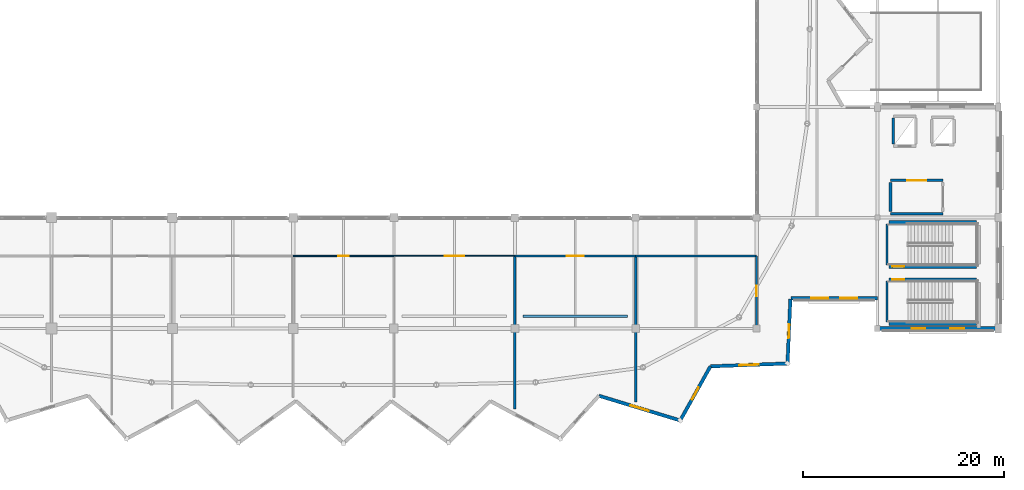
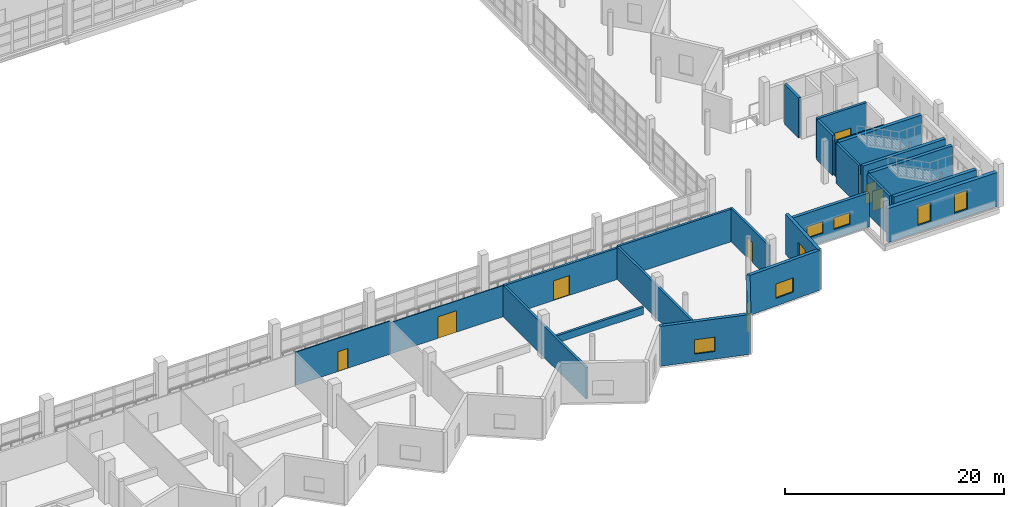
# One storey, part 38 of 53: 24 walls, 8 windows, 7 doors, 15 openings.
"""IFC4 building model written with IfcOpenShell, lengths in metres."""

from ifc_helpers import new_model, si_unit, direction, frame, frame_2d, origin, place, context, subcontext, project, spatial, rectangle, extrude, material, layer, layer_set, type_object, element, fill, save


model = new_model("IFC4")

# Units and contexts
model_context = context("Model", 3, precision=1e-05, world=origin(), true_north=direction((0.0, 1.0)))
body_context = subcontext(model_context, "Body", "Model", "MODEL_VIEW")
ifc_project = project(units=[si_unit("LENGTHUNIT", "METRE"), si_unit("AREAUNIT", "SQUARE_METRE"), si_unit("VOLUMEUNIT", "CUBIC_METRE"), si_unit("PLANEANGLEUNIT", "RADIAN"), si_unit("MASSUNIT", "GRAM", prefix="KILO")], contexts=[model_context])

# Site, building, storey
site_placement = place(None, origin())
site = spatial("IfcSite", under=ifc_project, at=site_placement, CompositionType="ELEMENT")
building_placement = place(site_placement, origin())
building = spatial("IfcBuilding", under=site, at=building_placement, Name="Luwafu Chhajja Arena", CompositionType="ELEMENT")
storey_placement = place(building_placement, frame((0.0, 0.0, 19.5)))
storey = spatial("IfcBuildingStorey", under=building, at=storey_placement, Name="L04", CompositionType="ELEMENT", Elevation=19.5)

# Wall, opening, door
ifc_material_1 = material(Name="Concrete blockwork masonry", Category="masonry")
ifc_layer_1 = layer(ifc_material_1, 0.239990234375, Name="Concrete blockwork masonry")
ifc_layer_set_1 = layer_set([ifc_layer_1], Name="Concrete blockwork masonry")
wall_type_1 = type_object("IfcWallType", Name="Compartment Masonry Partition 240", PredefinedType="PARTITIONING", material=ifc_layer_set_1)
wall_1_placement = place(storey_placement, frame((116.0, 18.199951171875, 0.0), z_axis=(0.0, 0.0, 1.0), x_axis=(1.0, 0.0, 0.0)))
wall_1 = element("IfcWall", 1, at=wall_1_placement, inside=storey, type_object=wall_type_1, Name="L04 Internal Partition 0314", PredefinedType="PARTITIONING", context=body_context, shape_type="SweptSolid", body=[
    extrude(rectangle(XDim=12.0, YDim=0.239990234375, at=frame_2d((6.0, 0.0))), origin(), (0.0, 0.0, 1.0), 3.489990234375),
])
opening_1_placement = place(wall_1_placement, frame((5.159912109375, 0.0, 0.0)))
opening_1 = element("IfcOpeningElement", 2, at=opening_1_placement, cuts=wall_1, Name="Opening DR-11", PredefinedType="OPENING", context=body_context, shape_type="SweptSolid", body=[
    extrude(rectangle(XDim=1.679931640625, YDim=2.199951171875, at=frame_2d((0.83984375, 1.10009765625))), frame((0.0, 0.1298828125, 0.0), z_axis=(0.0, -1.0, 0.0), x_axis=(1.0, 0.0, 0.0)), (0.0, 0.0, 1.0), 0.260009765625),
])
ifc_material_2 = material(Name="Powder-coated steel fire leaf", Category="steel")
door_type_1 = type_object("IfcDoorType", Name="DR-11", OperationType="DOUBLE_DOOR_SINGLE_SWING", PredefinedType="DOOR", material=ifc_material_2)
door_1_placement = place(opening_1_placement, origin())
door_1 = element("IfcDoor", 3, at=door_1_placement, inside=storey, type_object=door_type_1, Name="L04 Interior Door L04-D026", OperationType="DOUBLE_DOOR_SINGLE_SWING", OverallHeight=2.199951171875, OverallWidth=1.679931640625, PredefinedType="DOOR", context=body_context, shape_type="SweptSolid", body=[
    extrude(rectangle(XDim=1.679931640625, YDim=2.199951171875, at=frame_2d((0.83984375, 1.10009765625))), frame((0.0, 0.02490234375, 0.0), z_axis=(0.0, -1.0, 0.0), x_axis=(1.0, 0.0, 0.0)), (0.0, 0.0, 1.0), 0.050048828125),
])
fill(opening_1, door_1)

# Walls
wall_2_placement = place(storey_placement, frame((128.0, 18.199951171875, 0.0), z_axis=(0.0, 0.0, 1.0), x_axis=(1.0, 0.0, 0.0)))
element("IfcWall", 4, at=wall_2_placement, inside=storey, type_object=wall_type_1, Name="L04 Internal Partition 0315", PredefinedType="PARTITIONING", context=body_context, shape_type="SweptSolid", body=[
    extrude(rectangle(XDim=12.0, YDim=0.239990234375, at=frame_2d((6.0, 0.0))), origin(), (0.0, 0.0, 1.0), 3.639892578125),
])
wall_3_placement = place(storey_placement, frame((116.0, 3.015625, 0.0), z_axis=(0.0, 0.0, 1.0), x_axis=(0.0, 1.0, 0.0)))
element("IfcWall", 5, at=wall_3_placement, inside=storey, type_object=wall_type_1, Name="L04 Internal Partition 0328", PredefinedType="PARTITIONING", context=body_context, shape_type="SweptSolid", body=[
    extrude(rectangle(XDim=15.184326171875, YDim=0.239990234375, at=frame_2d((7.59228515625, 0.0))), origin(), (0.0, 0.0, 1.0), 3.489990234375),
])
wall_4_placement = place(storey_placement, frame((128.0, 3.712158203125, 0.0), z_axis=(0.0, 0.0, 1.0), x_axis=(0.0, 1.0, 0.0)))
element("IfcWall", 6, at=wall_4_placement, inside=storey, type_object=wall_type_1, Name="L04 Internal Partition 0329", PredefinedType="PARTITIONING", context=body_context, shape_type="SweptSolid", body=[
    extrude(rectangle(XDim=14.48779296875, YDim=0.239990234375, at=frame_2d((7.243896484375, 0.0))), origin(), (0.0, 0.0, 1.0), 3.639892578125),
])

# Wall, opening, door
ifc_material_3 = material(Name="Gypsum plasterboard partition")
ifc_layer_2 = layer(ifc_material_3, 0.10009765625, Name="Gypsum plasterboard partition")
ifc_layer_set_2 = layer_set([ifc_layer_2], Name="Gypsum plasterboard partition")
wall_type_2 = type_object("IfcWallType", Name="Drywall Lining Partition 100", PredefinedType="PARTITIONING", material=ifc_layer_set_2)
wall_5_placement = place(storey_placement, frame((104.0, 18.199951171875, 0.0), z_axis=(0.0, 0.0, 1.0), x_axis=(1.0, 0.0, 0.0)))
wall_5 = element("IfcWall", 7, at=wall_5_placement, inside=storey, type_object=wall_type_2, Name="L04 Internal Partition 0313", PredefinedType="PARTITIONING", context=body_context, shape_type="SweptSolid", body=[
    extrude(rectangle(XDim=12.0, YDim=0.10009765625, at=frame_2d((6.0, 0.0))), origin(), (0.0, 0.0, 1.0), 3.489990234375),
])
opening_2_placement = place(wall_5_placement, frame((5.02490234375, 0.0, 0.0)))
opening_2 = element("IfcOpeningElement", 8, at=opening_2_placement, cuts=wall_5, Name="Opening DR-25", PredefinedType="OPENING", context=body_context, shape_type="SweptSolid", body=[
    extrude(rectangle(XDim=1.949951171875, YDim=2.39990234375, at=frame_2d((0.97509765625, 1.199951171875))), frame((0.0, 0.06005859375, 0.0), z_axis=(0.0, -1.0, 0.0), x_axis=(1.0, 0.0, 0.0)), (0.0, 0.0, 1.0), 0.1201171875),
])
ifc_material_4 = material(Name="Anodised bronze glazed double door")
door_type_2 = type_object("IfcDoorType", Name="DR-25", OperationType="DOUBLE_DOOR_SINGLE_SWING", PredefinedType="DOOR", material=ifc_material_4)
door_2_placement = place(opening_2_placement, origin())
door_2 = element("IfcDoor", 9, at=door_2_placement, inside=storey, type_object=door_type_2, Name="L04 Interior Door L04-D025", OperationType="DOUBLE_DOOR_SINGLE_SWING", OverallHeight=2.39990234375, OverallWidth=1.949951171875, PredefinedType="DOOR", context=body_context, shape_type="SweptSolid", body=[
    extrude(rectangle(XDim=1.949951171875, YDim=2.39990234375, at=frame_2d((0.97509765625, 1.199951171875))), frame((0.0, 0.02490234375, 0.0), z_axis=(0.0, -1.0, 0.0), x_axis=(1.0, 0.0, 0.0)), (0.0, 0.0, 1.0), 0.050048828125),
])
fill(opening_2, door_2)

ifc_material_5 = material(Name="Concrete C40/50", Category="concrete")
ifc_layer_3 = layer(ifc_material_5, 0.260009765625, Name="Concrete C40/50")
ifc_layer_set_3 = layer_set([ifc_layer_3], Name="Concrete C40/50")
wall_type_3 = type_object("IfcWallType", Name="Firefighting Lobby Wall 260", PredefinedType="SOLIDWALL", material=ifc_layer_set_3)
wall_6_placement = place(storey_placement, frame((153.300048828125, 25.699951171875, 0.0), z_axis=(0.0, 0.0, 1.0), x_axis=(1.0, 0.0, 0.0)))
wall_6 = element("IfcWall", 10, at=wall_6_placement, inside=storey, type_object=wall_type_3, Name="L04 Core C2 Firefighting Lobby Wall N", PredefinedType="SOLIDWALL", context=body_context, shape_type="SweptSolid", body=[
    extrude(rectangle(XDim=5.199951171875, YDim=0.260009765625, at=frame_2d((2.60009765625, 0.0))), origin(), (0.0, 0.0, 1.0), 4.4599609375),
])
opening_3_placement = place(wall_6_placement, frame((1.64990234375, 0.0, 0.0)))
opening_3 = element("IfcOpeningElement", 11, at=opening_3_placement, cuts=wall_6, Name="Opening DR-07", PredefinedType="OPENING", context=body_context, shape_type="SweptSolid", body=[
    extrude(rectangle(XDim=1.89990234375, YDim=2.199951171875, at=frame_2d((0.949951171875, 1.10009765625))), frame((0.0, 0.139892578125, 0.0), z_axis=(0.0, -1.0, 0.0), x_axis=(1.0, 0.0, 0.0)), (0.0, 0.0, 1.0), 0.280029296875),
])
ifc_material_6 = material(Name="Fire-rated hardwood and vision panel", Category="wood")
door_type_3 = type_object("IfcDoorType", Name="DR-07", OperationType="DOUBLE_DOOR_SINGLE_SWING", PredefinedType="DOOR", material=ifc_material_6)
door_3_placement = place(opening_3_placement, origin())
door_3 = element("IfcDoor", 12, at=door_3_placement, inside=storey, type_object=door_type_3, Name="L04 Firefighting Lobby C2 Door L04-D007", OperationType="DOUBLE_DOOR_SINGLE_SWING", OverallHeight=2.199951171875, OverallWidth=1.89990234375, PredefinedType="DOOR", context=body_context, shape_type="SweptSolid", body=[
    extrude(rectangle(XDim=1.89990234375, YDim=2.199951171875, at=frame_2d((0.949951171875, 1.10009765625))), frame((0.0, 0.02490234375, 0.0), z_axis=(0.0, -1.0, 0.0), x_axis=(1.0, 0.0, 0.0)), (0.0, 0.0, 1.0), 0.050048828125),
])
fill(opening_3, door_3)

# Walls
wall_7_placement = place(storey_placement, frame((153.300048828125, 22.39990234375, 0.0), z_axis=(0.0, 0.0, 1.0), x_axis=(1.0, 0.0, 0.0)))
element("IfcWall", 13, at=wall_7_placement, inside=storey, type_object=wall_type_3, Name="L04 Core C2 Firefighting Lobby Wall S", PredefinedType="SOLIDWALL", context=body_context, shape_type="SweptSolid", body=[
    extrude(rectangle(XDim=5.199951171875, YDim=0.260009765625, at=frame_2d((2.60009765625, 0.0))), origin(), (0.0, 0.0, 1.0), 3.889892578125),
])
wall_8_placement = place(storey_placement, frame((153.300048828125, 22.60009765625, 0.0), z_axis=(0.0, 0.0, 1.0), x_axis=(0.0, 1.0, 0.0)))
element("IfcWall", 14, at=wall_8_placement, inside=storey, type_object=wall_type_3, Name="L04 Core C2 Firefighting Lobby Wall W", PredefinedType="SOLIDWALL", context=body_context, shape_type="SweptSolid", body=[
    extrude(rectangle(XDim=2.89990234375, YDim=0.260009765625, at=frame_2d((1.449951171875, 0.0))), origin(), (0.0, 0.0, 1.0), 4.4599609375),
])

# Wall, opening, door
ifc_material_7 = material(Name="Acoustic metal-stud gypsum board")
ifc_layer_4 = layer(ifc_material_7, 0.1201171875, Name="Acoustic metal-stud gypsum board")
ifc_layer_set_4 = layer_set([ifc_layer_4], Name="Acoustic metal-stud gypsum board")
wall_type_4 = type_object("IfcWallType", Name="Internal Room Partition 120", PredefinedType="PARTITIONING", material=ifc_layer_set_4)
wall_9_placement = place(storey_placement, frame((94.0, 18.199951171875, 0.0), z_axis=(0.0, 0.0, 1.0), x_axis=(1.0, 0.0, 0.0)))
wall_9 = element("IfcWall", 15, at=wall_9_placement, inside=storey, type_object=wall_type_4, Name="L04 Internal Partition 0312", PredefinedType="PARTITIONING", context=body_context, shape_type="SweptSolid", body=[
    extrude(rectangle(XDim=10.0, YDim=0.1201171875, at=frame_2d((5.0, 0.0))), origin(), (0.0, 0.0, 1.0), 3.70654296875),
])
opening_4_placement = place(wall_9_placement, frame((4.47998046875, 0.0, 0.0)))
opening_4 = element("IfcOpeningElement", 16, at=opening_4_placement, cuts=wall_9, Name="Opening DR-24", PredefinedType="OPENING", context=body_context, shape_type="SweptSolid", body=[
    extrude(rectangle(XDim=1.0400390625, YDim=2.199951171875, at=frame_2d((0.52001953125, 1.10009765625))), frame((0.0, 0.070068359375, 0.0), z_axis=(0.0, -1.0, 0.0), x_axis=(1.0, 0.0, 0.0)), (0.0, 0.0, 1.0), 0.14013671875),
])
ifc_material_8 = material(Name="Hardwood flush classroom door", Category="wood")
door_type_4 = type_object("IfcDoorType", Name="DR-24", OperationType="NOTDEFINED", PredefinedType="DOOR", material=ifc_material_8)
door_4_placement = place(opening_4_placement, origin())
door_4 = element("IfcDoor", 17, at=door_4_placement, inside=storey, type_object=door_type_4, Name="L04 Interior Door L04-D024", OperationType="SINGLE_SWING_LEFT", OverallHeight=2.199951171875, OverallWidth=1.0400390625, PredefinedType="DOOR", context=body_context, shape_type="SweptSolid", body=[
    extrude(rectangle(XDim=1.0400390625, YDim=2.199951171875, at=frame_2d((0.52001953125, 1.10009765625))), frame((0.0, 0.02490234375, 0.0), z_axis=(0.0, -1.0, 0.0), x_axis=(1.0, 0.0, 0.0)), (0.0, 0.0, 1.0), 0.050048828125),
])
fill(opening_4, door_4)

# Wall
ifc_material_9 = material(Name="Concrete C35/45", Category="concrete")
ifc_layer_5 = layer(ifc_material_9, 0.260009765625, Name="Concrete C35/45")
ifc_layer_set_5 = layer_set([ifc_layer_5], Name="Concrete C35/45")
wall_type_5 = type_object("IfcWallType", Name="Lift and Riser Shaft Wall 260", PredefinedType="SOLIDWALL", material=ifc_layer_set_5)
wall_10_placement = place(storey_placement, frame((153.590087890625, 29.31494140625, 0.0), z_axis=(0.0, 0.0, 1.0), x_axis=(0.0, 1.0, 0.0)))
element("IfcWall", 18, at=wall_10_placement, inside=storey, type_object=wall_type_5, Name="L04 Lift LF-02 Shaft Wall W", PredefinedType="SOLIDWALL", context=body_context, shape_type="SweptSolid", body=[
    extrude(rectangle(XDim=2.570068359375, YDim=0.260009765625, at=frame_2d((1.28515625, 0.0))), origin(), (0.0, 0.0, 1.0), 4.4599609375),
])

# Wall, opening, window
ifc_material_10 = material(Name="Precast concrete C40/50", Category="concrete")
ifc_layer_6 = layer(ifc_material_10, 0.340087890625, Name="Precast concrete C40/50")
ifc_layer_set_6 = layer_set([ifc_layer_6], Name="Precast concrete C40/50")
wall_type_6 = type_object("IfcWallType", Name="Pleated Bowl V-Fold Wall 340", PredefinedType="USERDEFINED", material=ifc_layer_set_6)
wall_11_placement = place(storey_placement, frame((124.364013671875, 4.316162109375, 0.0), z_axis=(0.0, 0.0, 1.0), x_axis=(0.956738407321, -0.290949514446, 0.0)))
wall_11 = element("IfcWall", 19, at=wall_11_placement, inside=storey, type_object=wall_type_6, Name="L04 Pleated Bowl V-Fold Wall 54", ObjectType="PLEATED FACADE WALL", PredefinedType="USERDEFINED", context=body_context, shape_type="SweptSolid", body=[
    extrude(rectangle(XDim=8.427978515625, YDim=0.340087890625, at=frame_2d((4.2138671875, 0.0))), origin(), (0.0, 0.0, 1.0), 4.455078125),
])
opening_5_placement = place(wall_11_placement, frame((3.263916015625, 0.0, 0.85009765625)))
opening_5 = element("IfcOpeningElement", 20, at=opening_5_placement, cuts=wall_11, Name="Opening WN-15", PredefinedType="OPENING", context=body_context, shape_type="SweptSolid", body=[
    extrude(rectangle(XDim=1.89990234375, YDim=1.60009765625, at=frame_2d((0.949951171875, 0.800048828125))), frame((0.0, 0.179931640625, 0.0), z_axis=(0.0, -1.0, 0.0), x_axis=(1.0, 0.0, 0.0)), (0.0, 0.0, 1.0), 0.360107421875),
])
ifc_material_11 = material(Name="Solar-control laminated glass", Category="glass")
window_type_1 = type_object("IfcWindowType", Name="Pleated Drum Inward-Fold Clerestory 1900x1600", PartitioningType="SINGLE_PANEL", PredefinedType="WINDOW", material=ifc_material_11)
window_1_placement = place(opening_5_placement, origin())
window_1 = element("IfcWindow", 21, at=window_1_placement, inside=storey, type_object=window_type_1, Name="L04 Pleated Bowl Lancet Window 123", OverallHeight=1.60009765625, OverallWidth=1.89990234375, PartitioningType="SINGLE_PANEL", PredefinedType="WINDOW", context=body_context, shape_type="SweptSolid", body=[
    extrude(rectangle(XDim=1.89990234375, YDim=1.60009765625, at=frame_2d((0.949951171875, 0.800048828125))), frame((0.0, 0.030029296875, 0.0), z_axis=(0.0, -1.0, 0.0), x_axis=(1.0, 0.0, 0.0)), (0.0, 0.0, 1.0), 0.06005859375),
])
fill(opening_5, window_1)

wall_12_placement = place(storey_placement, frame((132.427490234375, 1.864013671875, 0.0), z_axis=(0.0, 0.0, 1.0), x_axis=(0.487306352228, 0.87323108, 0.0)))
wall_12 = element("IfcWall", 22, at=wall_12_placement, inside=storey, type_object=wall_type_6, Name="L04 Pleated Bowl V-Fold Wall 55", ObjectType="PLEATED FACADE WALL", PredefinedType="USERDEFINED", context=body_context, shape_type="SweptSolid", body=[
    extrude(rectangle(XDim=6.15283203125, YDim=0.340087890625, at=frame_2d((3.076416015625, 0.0))), origin(), (0.0, 0.0, 1.0), 4.455078125),
])
opening_6_placement = place(wall_12_placement, frame((2.401611328125, 0.0, 0.800048828125)))
opening_6 = element("IfcOpeningElement", 23, at=opening_6_placement, cuts=wall_12, Name="Opening WN-17", PredefinedType="OPENING", context=body_context, shape_type="SweptSolid", body=[
    extrude(rectangle(XDim=1.35009765625, YDim=2.10009765625, at=frame_2d((0.675048828125, 1.050048828125))), frame((0.0, 0.179931640625, 0.0), z_axis=(0.0, -1.0, 0.0), x_axis=(1.0, 0.0, 0.0)), (0.0, 0.0, 1.0), 0.360107421875),
])
window_type_2 = type_object("IfcWindowType", Name="Exhibition Mezzanine Lancet Window 1350x2100", PartitioningType="SINGLE_PANEL", PredefinedType="WINDOW", material=ifc_material_11)
window_2_placement = place(opening_6_placement, origin())
window_2 = element("IfcWindow", 24, at=window_2_placement, inside=storey, type_object=window_type_2, Name="L04 Pleated Bowl Lancet Window 124", OverallHeight=2.10009765625, OverallWidth=1.35009765625, PartitioningType="SINGLE_PANEL", PredefinedType="WINDOW", context=body_context, shape_type="SweptSolid", body=[
    extrude(rectangle(XDim=1.35009765625, YDim=2.10009765625, at=frame_2d((0.675048828125, 1.050048828125))), frame((0.0, 0.030029296875, 0.0), z_axis=(0.0, -1.0, 0.0), x_axis=(1.0, 0.0, 0.0)), (0.0, 0.0, 1.0), 0.06005859375),
])
fill(opening_6, window_2)

wall_13_placement = place(storey_placement, frame((135.42578125, 7.23681640625, 0.0), z_axis=(0.0, 0.0, 1.0), x_axis=(0.999297884119, 0.037466502319, 0.0)))
wall_13 = element("IfcWall", 25, at=wall_13_placement, inside=storey, type_object=wall_type_6, Name="L04 Pleated Bowl V-Fold Wall 56", ObjectType="PLEATED FACADE WALL", PredefinedType="USERDEFINED", context=body_context, shape_type="SweptSolid", body=[
    extrude(rectangle(XDim=7.6630859375, YDim=0.340087890625, at=frame_2d((3.83154296875, 0.0))), origin(), (0.0, 0.0, 1.0), 4.455078125),
])
opening_7_placement = place(wall_13_placement, frame((2.881591796875, 0.0, 0.85009765625)))
opening_7 = element("IfcOpeningElement", 26, at=opening_7_placement, cuts=wall_13, Name="Opening WN-15", PredefinedType="OPENING", context=body_context, shape_type="SweptSolid", body=[
    extrude(rectangle(XDim=1.89990234375, YDim=1.60009765625, at=frame_2d((0.949951171875, 0.800048828125))), frame((0.0, 0.179931640625, 0.0), z_axis=(0.0, -1.0, 0.0), x_axis=(1.0, 0.0, 0.0)), (0.0, 0.0, 1.0), 0.360107421875),
])
window_3_placement = place(opening_7_placement, origin())
window_3 = element("IfcWindow", 27, at=window_3_placement, inside=storey, type_object=window_type_1, Name="L04 Pleated Bowl Lancet Window 125", OverallHeight=1.60009765625, OverallWidth=1.89990234375, PartitioningType="SINGLE_PANEL", PredefinedType="WINDOW", context=body_context, shape_type="SweptSolid", body=[
    extrude(rectangle(XDim=1.89990234375, YDim=1.60009765625, at=frame_2d((0.949951171875, 0.800048828125))), frame((0.0, 0.030029296875, 0.0), z_axis=(0.0, -1.0, 0.0), x_axis=(1.0, 0.0, 0.0)), (0.0, 0.0, 1.0), 0.06005859375),
])
fill(opening_7, window_3)

wall_14_placement = place(storey_placement, frame((143.08349609375, 7.52392578125, 0.0), z_axis=(0.0, 0.0, 1.0), x_axis=(0.043587819379, 0.99904959937, 0.0)))
wall_14 = element("IfcWall", 28, at=wall_14_placement, inside=storey, type_object=wall_type_6, Name="L04 Pleated Bowl V-Fold Wall 57", ObjectType="PLEATED FACADE WALL", PredefinedType="USERDEFINED", context=body_context, shape_type="SweptSolid", body=[
    extrude(rectangle(XDim=6.402099609375, YDim=0.340087890625, at=frame_2d((3.201171875, 0.0))), origin(), (0.0, 0.0, 1.0), 4.455078125),
])
opening_8_placement = place(wall_14_placement, frame((2.52587890625, 0.0, 0.800048828125)))
opening_8 = element("IfcOpeningElement", 29, at=opening_8_placement, cuts=wall_14, Name="Opening WN-17", PredefinedType="OPENING", context=body_context, shape_type="SweptSolid", body=[
    extrude(rectangle(XDim=1.35009765625, YDim=2.10009765625, at=frame_2d((0.675048828125, 1.050048828125))), frame((0.0, 0.179931640625, 0.0), z_axis=(0.0, -1.0, 0.0), x_axis=(1.0, 0.0, 0.0)), (0.0, 0.0, 1.0), 0.360107421875),
])
window_4_placement = place(opening_8_placement, origin())
window_4 = element("IfcWindow", 30, at=window_4_placement, inside=storey, type_object=window_type_2, Name="L04 Pleated Bowl Lancet Window 126", OverallHeight=2.10009765625, OverallWidth=1.35009765625, PartitioningType="SINGLE_PANEL", PredefinedType="WINDOW", context=body_context, shape_type="SweptSolid", body=[
    extrude(rectangle(XDim=1.35009765625, YDim=2.10009765625, at=frame_2d((0.675048828125, 1.050048828125))), frame((0.0, 0.030029296875, 0.0), z_axis=(0.0, -1.0, 0.0), x_axis=(1.0, 0.0, 0.0)), (0.0, 0.0, 1.0), 0.06005859375),
])
fill(opening_8, window_4)

# Wall, opening, door
ifc_layer_7 = layer(ifc_material_1, 0.219970703125, Name="Concrete blockwork masonry")
ifc_layer_set_7 = layer_set([ifc_layer_7], Name="Concrete blockwork masonry")
wall_type_7 = type_object("IfcWallType", Name="Protected Corridor Partition 220", PredefinedType="PARTITIONING", material=ifc_layer_set_7)
wall_15_placement = place(storey_placement, frame((140.0, 11.219970703125, 0.0), z_axis=(0.0, 0.0, 1.0), x_axis=(0.0, 1.0, 0.0)))
wall_15 = element("IfcWall", 31, at=wall_15_placement, inside=storey, type_object=wall_type_7, Name="L04 Internal Partition 0305", PredefinedType="PARTITIONING", context=body_context, shape_type="SweptSolid", body=[
    extrude(rectangle(XDim=6.97998046875, YDim=0.219970703125, at=frame_2d((3.489990234375, 0.0))), origin(), (0.0, 0.0, 1.0), 3.70654296875),
])
opening_9_placement = place(wall_15_placement, frame((2.97998046875, 0.0, 0.0)))
opening_9 = element("IfcOpeningElement", 32, at=opening_9_placement, cuts=wall_15, Name="Opening DR-13", PredefinedType="OPENING", context=body_context, shape_type="SweptSolid", body=[
    extrude(rectangle(XDim=1.02001953125, YDim=2.25, at=frame_2d((0.510009765625, 1.125))), frame((0.0, 0.119873046875, 0.0), z_axis=(0.0, -1.0, 0.0), x_axis=(1.0, 0.0, 0.0)), (0.0, 0.0, 1.0), 0.239990234375),
])
ifc_material_12 = material(Name="Veneered hardwood acoustic leaf", Category="wood")
door_type_5 = type_object("IfcDoorType", Name="DR-13", OperationType="NOTDEFINED", PredefinedType="DOOR", material=ifc_material_12)
door_5_placement = place(opening_9_placement, origin())
door_5 = element("IfcDoor", 33, at=door_5_placement, inside=storey, type_object=door_type_5, Name="L04 Interior Door L04-D019", OperationType="SINGLE_SWING_RIGHT", OverallHeight=2.25, OverallWidth=1.02001953125, PredefinedType="DOOR", context=body_context, shape_type="SweptSolid", body=[
    extrude(rectangle(XDim=1.02001953125, YDim=2.25, at=frame_2d((0.510009765625, 1.125))), frame((0.0, 0.02490234375, 0.0), z_axis=(0.0, -1.0, 0.0), x_axis=(1.0, 0.0, 0.0)), (0.0, 0.0, 1.0), 0.050048828125),
])
fill(opening_9, door_5)

# Wall
ifc_layer_8 = layer(ifc_material_5, 0.35009765625, Name="Concrete C40/50")
ifc_layer_set_8 = layer_set([ifc_layer_8], Name="Concrete C40/50")
wall_type_8 = type_object("IfcWallType", Name="RC Core Shear Wall 350", PredefinedType="SOLIDWALL", material=ifc_layer_set_8)
wall_16_placement = place(storey_placement, frame((153.14990234375, 11.47802734375, 0.0), z_axis=(0.0, 0.0, 1.0), x_axis=(1.0, 0.0, 0.0)))
element("IfcWall", 34, at=wall_16_placement, inside=storey, type_object=wall_type_8, Name="L04 Stair ST-03 Core Shear Wall S", PredefinedType="SOLIDWALL", context=body_context, shape_type="SweptSolid", body=[
    extrude(rectangle(XDim=8.7001953125, YDim=0.35009765625, at=frame_2d((4.35009765625, 0.0))), origin(), (0.0, 0.0, 1.0), 4.4599609375),
])

# Wall, opening, door
wall_17_placement = place(storey_placement, frame((153.14990234375, 15.862060546875, 0.0), z_axis=(0.0, 0.0, 1.0), x_axis=(1.0, 0.0, 0.0)))
wall_17 = element("IfcWall", 35, at=wall_17_placement, inside=storey, type_object=wall_type_8, Name="L04 Stair ST-03 Core Shear Wall N", PredefinedType="SOLIDWALL", context=body_context, shape_type="SweptSolid", body=[
    extrude(rectangle(XDim=8.7001953125, YDim=0.35009765625, at=frame_2d((4.35009765625, 0.0))), origin(), (0.0, 0.0, 1.0), 4.4599609375),
])
opening_10_placement = place(wall_17_placement, frame((0.35009765625, 0.0, 0.0)))
opening_10 = element("IfcOpeningElement", 36, at=opening_10_placement, cuts=wall_17, Name="Opening DR-06", PredefinedType="OPENING", context=body_context, shape_type="SweptSolid", body=[
    extrude(rectangle(XDim=1.14990234375, YDim=2.199951171875, at=frame_2d((0.574951171875, 1.10009765625))), frame((0.0, 0.18505859375, 0.0), z_axis=(0.0, -1.0, 0.0), x_axis=(1.0, 0.0, 0.0)), (0.0, 0.0, 1.0), 0.3701171875),
])
ifc_material_13 = material(Name="Fire-rated hardwood and steel core", Category="steel")
door_type_6 = type_object("IfcDoorType", Name="DR-06", OperationType="NOTDEFINED", PredefinedType="DOOR", material=ifc_material_13)
door_6_placement = place(opening_10_placement, origin())
door_6 = element("IfcDoor", 37, at=door_6_placement, inside=storey, type_object=door_type_6, Name="L04 Escape Stair ST-03 Fire Door L04-D005", OperationType="SINGLE_SWING_RIGHT", OverallHeight=2.199951171875, OverallWidth=1.14990234375, PredefinedType="DOOR", context=body_context, shape_type="SweptSolid", body=[
    extrude(rectangle(XDim=1.14990234375, YDim=2.199951171875, at=frame_2d((0.574951171875, 1.10009765625))), frame((0.0, 0.02490234375, 0.0), z_axis=(0.0, -1.0, 0.0), x_axis=(1.0, 0.0, 0.0)), (0.0, 0.0, 1.0), 0.050048828125),
])
fill(opening_10, door_6)

wall_18_placement = place(storey_placement, frame((153.14990234375, 17.137939453125, 0.0), z_axis=(0.0, 0.0, 1.0), x_axis=(1.0, 0.0, 0.0)))
wall_18 = element("IfcWall", 38, at=wall_18_placement, inside=storey, type_object=wall_type_8, Name="L04 Stair ST-04 Core Shear Wall S", PredefinedType="SOLIDWALL", context=body_context, shape_type="SweptSolid", body=[
    extrude(rectangle(XDim=8.7001953125, YDim=0.35009765625, at=frame_2d((4.35009765625, 0.0))), origin(), (0.0, 0.0, 1.0), 4.4599609375),
])
opening_11_placement = place(wall_18_placement, frame((0.35009765625, 0.0, 0.0)))
opening_11 = element("IfcOpeningElement", 39, at=opening_11_placement, cuts=wall_18, Name="Opening DR-06", PredefinedType="OPENING", context=body_context, shape_type="SweptSolid", body=[
    extrude(rectangle(XDim=1.14990234375, YDim=2.199951171875, at=frame_2d((0.574951171875, 1.10009765625))), frame((0.0, 0.18505859375, 0.0), z_axis=(0.0, -1.0, 0.0), x_axis=(1.0, 0.0, 0.0)), (0.0, 0.0, 1.0), 0.3701171875),
])
door_7_placement = place(opening_11_placement, origin())
door_7 = element("IfcDoor", 40, at=door_7_placement, inside=storey, type_object=door_type_6, Name="L04 Escape Stair ST-04 Fire Door L04-D006", OperationType="SINGLE_SWING_LEFT", OverallHeight=2.199951171875, OverallWidth=1.14990234375, PredefinedType="DOOR", context=body_context, shape_type="SweptSolid", body=[
    extrude(rectangle(XDim=1.14990234375, YDim=2.199951171875, at=frame_2d((0.574951171875, 1.10009765625))), frame((0.0, 0.02490234375, 0.0), z_axis=(0.0, -1.0, 0.0), x_axis=(1.0, 0.0, 0.0)), (0.0, 0.0, 1.0), 0.050048828125),
])
fill(opening_11, door_7)

# Wall
wall_19_placement = place(storey_placement, frame((153.14990234375, 21.52197265625, 0.0), z_axis=(0.0, 0.0, 1.0), x_axis=(1.0, 0.0, 0.0)))
element("IfcWall", 41, at=wall_19_placement, inside=storey, type_object=wall_type_8, Name="L04 Stair ST-04 Core Shear Wall N", PredefinedType="SOLIDWALL", context=body_context, shape_type="SweptSolid", body=[
    extrude(rectangle(XDim=8.7001953125, YDim=0.35009765625, at=frame_2d((4.35009765625, 0.0))), origin(), (0.0, 0.0, 1.0), 4.4599609375),
])

# Wall, openings, windows
ifc_layer_9 = layer(ifc_material_5, 0.39990234375, Name="Concrete C40/50")
ifc_layer_set_9 = layer_set([ifc_layer_9], Name="Concrete C40/50")
wall_type_9 = type_object("IfcWallType", Name="RC Core Shear Wall 400", PredefinedType="SOLIDWALL", material=ifc_layer_set_9)
wall_20_placement = place(storey_placement, frame((152.219970703125, 11.0, 0.0), z_axis=(0.0, 0.0, 1.0), x_axis=(1.0, 0.0, 0.0)))
wall_20 = element("IfcWall", 42, at=wall_20_placement, inside=storey, type_object=wall_type_9, Name="L04 Exterior Wall WEX-L04-224", PredefinedType="SOLIDWALL", context=body_context, shape_type="SweptSolid", body=[
    extrude(rectangle(XDim=11.56005859375, YDim=0.39990234375, at=frame_2d((5.780029296875, 0.0))), origin(), (0.0, 0.0, 1.0), 3.7900390625),
])
opening_12_placement = place(wall_20_placement, frame((3.17822265625, 0.0, 0.800048828125)))
opening_12 = element("IfcOpeningElement", 43, at=opening_12_placement, cuts=wall_20, Name="Opening WN-17", PredefinedType="OPENING", context=body_context, shape_type="SweptSolid", body=[
    extrude(rectangle(XDim=1.35009765625, YDim=2.10009765625, at=frame_2d((0.675048828125, 1.050048828125))), frame((0.0, 0.2099609375, 0.0), z_axis=(0.0, -1.0, 0.0), x_axis=(1.0, 0.0, 0.0)), (0.0, 0.0, 1.0), 0.419921875),
])
opening_13_placement = place(wall_20_placement, frame((7.03173828125, 0.0, 0.800048828125)))
opening_13 = element("IfcOpeningElement", 44, at=opening_13_placement, cuts=wall_20, Name="Opening WN-17", PredefinedType="OPENING", context=body_context, shape_type="SweptSolid", body=[
    extrude(rectangle(XDim=1.35009765625, YDim=2.10009765625, at=frame_2d((0.675048828125, 1.050048828125))), frame((0.0, 0.2099609375, 0.0), z_axis=(0.0, -1.0, 0.0), x_axis=(1.0, 0.0, 0.0)), (0.0, 0.0, 1.0), 0.419921875),
])
window_5_placement = place(opening_12_placement, origin())
window_5 = element("IfcWindow", 45, at=window_5_placement, inside=storey, type_object=window_type_2, Name="L04 Facade Window 194", OverallHeight=2.10009765625, OverallWidth=1.35009765625, PartitioningType="SINGLE_PANEL", PredefinedType="WINDOW", context=body_context, shape_type="SweptSolid", body=[
    extrude(rectangle(XDim=1.35009765625, YDim=2.10009765625, at=frame_2d((0.675048828125, 1.050048828125))), frame((0.0, 0.030029296875, 0.0), z_axis=(0.0, -1.0, 0.0), x_axis=(1.0, 0.0, 0.0)), (0.0, 0.0, 1.0), 0.06005859375),
])
fill(opening_12, window_5)
window_6_placement = place(opening_13_placement, origin())
window_6 = element("IfcWindow", 46, at=window_6_placement, inside=storey, type_object=window_type_2, Name="L04 Facade Window 195", OverallHeight=2.10009765625, OverallWidth=1.35009765625, PartitioningType="SINGLE_PANEL", PredefinedType="WINDOW", context=body_context, shape_type="SweptSolid", body=[
    extrude(rectangle(XDim=1.35009765625, YDim=2.10009765625, at=frame_2d((0.675048828125, 1.050048828125))), frame((0.0, 0.030029296875, 0.0), z_axis=(0.0, -1.0, 0.0), x_axis=(1.0, 0.0, 0.0)), (0.0, 0.0, 1.0), 0.06005859375),
])
fill(opening_13, window_6)

ifc_layer_10 = layer(ifc_material_9, 0.320068359375, Name="Concrete C35/45")
ifc_layer_set_10 = layer_set([ifc_layer_10], Name="Concrete C35/45")
wall_type_10 = type_object("IfcWallType", Name="Sandstone Backed Exterior Wall 320", PredefinedType="SOLIDWALL", material=ifc_layer_set_10)
wall_21_placement = place(storey_placement, frame((143.426025390625, 14.0, 0.0), z_axis=(0.0, 0.0, 1.0), x_axis=(1.0, 0.0, 0.0)))
wall_21 = element("IfcWall", 47, at=wall_21_placement, inside=storey, type_object=wall_type_10, Name="L04 Exterior Wall WEX-L04-221", PredefinedType="SOLIDWALL", context=body_context, shape_type="SweptSolid", body=[
    extrude(rectangle(XDim=8.573974609375, YDim=0.320068359375, at=frame_2d((4.287109375, 0.0))), origin(), (0.0, 0.0, 1.0), 3.7900390625),
])
opening_14_placement = place(wall_21_placement, frame((2.008056640625, 0.0, 1.0)))
opening_14 = element("IfcOpeningElement", 48, at=opening_14_placement, cuts=wall_21, Name="Opening WN-21", PredefinedType="OPENING", context=body_context, shape_type="SweptSolid", body=[
    extrude(rectangle(XDim=1.699951171875, YDim=1.300048828125, at=frame_2d((0.85009765625, 0.64990234375))), frame((0.0, 0.169921875, 0.0), z_axis=(0.0, -1.0, 0.0), x_axis=(1.0, 0.0, 0.0)), (0.0, 0.0, 1.0), 0.340087890625),
])
opening_15_placement = place(wall_21_placement, frame((4.865966796875, 0.0, 1.0)))
opening_15 = element("IfcOpeningElement", 49, at=opening_15_placement, cuts=wall_21, Name="Opening WN-21", PredefinedType="OPENING", context=body_context, shape_type="SweptSolid", body=[
    extrude(rectangle(XDim=1.699951171875, YDim=1.300048828125, at=frame_2d((0.85009765625, 0.64990234375))), frame((0.0, 0.169921875, 0.0), z_axis=(0.0, -1.0, 0.0), x_axis=(1.0, 0.0, 0.0)), (0.0, 0.0, 1.0), 0.340087890625),
])
window_type_3 = type_object("IfcWindowType", Name="Technical Gallery Louvred Window 1700x1300", PartitioningType="SINGLE_PANEL", PredefinedType="WINDOW", material=ifc_material_11)
window_7_placement = place(opening_14_placement, origin())
window_7 = element("IfcWindow", 50, at=window_7_placement, inside=storey, type_object=window_type_3, Name="L04 Facade Window 188", OverallHeight=1.300048828125, OverallWidth=1.699951171875, PartitioningType="SINGLE_PANEL", PredefinedType="WINDOW", context=body_context, shape_type="SweptSolid", body=[
    extrude(rectangle(XDim=1.699951171875, YDim=1.300048828125, at=frame_2d((0.85009765625, 0.64990234375))), frame((0.0, 0.030029296875, 0.0), z_axis=(0.0, -1.0, 0.0), x_axis=(1.0, 0.0, 0.0)), (0.0, 0.0, 1.0), 0.06005859375),
])
fill(opening_14, window_7)
window_8_placement = place(opening_15_placement, origin())
window_8 = element("IfcWindow", 51, at=window_8_placement, inside=storey, type_object=window_type_3, Name="L04 Facade Window 189", OverallHeight=1.300048828125, OverallWidth=1.699951171875, PartitioningType="SINGLE_PANEL", PredefinedType="WINDOW", context=body_context, shape_type="SweptSolid", body=[
    extrude(rectangle(XDim=1.699951171875, YDim=1.300048828125, at=frame_2d((0.85009765625, 0.64990234375))), frame((0.0, 0.030029296875, 0.0), z_axis=(0.0, -1.0, 0.0), x_axis=(1.0, 0.0, 0.0)), (0.0, 0.0, 1.0), 0.06005859375),
])
fill(opening_15, window_8)

# Walls
ifc_layer_11 = layer(ifc_material_10, 0.25, Name="Precast concrete C40/50")
ifc_layer_set_11 = layer_set([ifc_layer_11], Name="Precast concrete C40/50")
wall_type_11 = type_object("IfcWallType", Name="Sandstone Coped Roof Parapet 250", PredefinedType="PARAPET", material=ifc_layer_set_11)
wall_22_placement = place(storey_placement, frame((116.800048828125, 12.199951171875, 0.0), z_axis=(0.0, 0.0, 1.0), x_axis=(1.0, 0.0, 0.0)))
element("IfcWall", 52, at=wall_22_placement, inside=storey, type_object=wall_type_11, Name="L04 Bowl South Gallery Upstand 6", PredefinedType="PARAPET", context=body_context, shape_type="SweptSolid", body=[
    extrude(rectangle(XDim=10.39990234375, YDim=0.25, at=frame_2d((5.199951171875, 0.0))), origin(), (0.0, 0.0, 1.0), 0.800048828125),
])
ifc_layer_12 = layer(ifc_material_9, 0.22998046875, Name="Concrete C35/45")
ifc_layer_set_12 = layer_set([ifc_layer_12], Name="Concrete C35/45")
wall_type_12 = type_object("IfcWallType", Name="Stair Enclosure Wall 230", PredefinedType="SOLIDWALL", material=ifc_layer_set_12)
for number, where, z_axis, x_axis, name in (
    (53, (152.9599609375, 11.6298828125, 0.0), (0.0, 0.0, 1.0), (0.0, 1.0, 0.0), "L04 Stair ST-03 Enclosure Wall W"),
    (54, (152.9599609375, 17.2900390625, 0.0), (0.0, 0.0, 1.0), (0.0, 1.0, 0.0), "L04 Stair ST-04 Enclosure Wall W"),
):
    element("IfcWall", number, at=place(storey_placement, frame(where, z_axis=z_axis, x_axis=x_axis)), inside=storey, type_object=wall_type_12, Name=name, PredefinedType="SOLIDWALL", context=body_context, shape_type="SweptSolid", body=[
        extrude(rectangle(XDim=4.080078125, YDim=0.22998046875, at=frame_2d((2.0400390625, 0.0))), origin(), (0.0, 0.0, 1.0), 4.4599609375),
    ])

save(model, "model.ifc")
